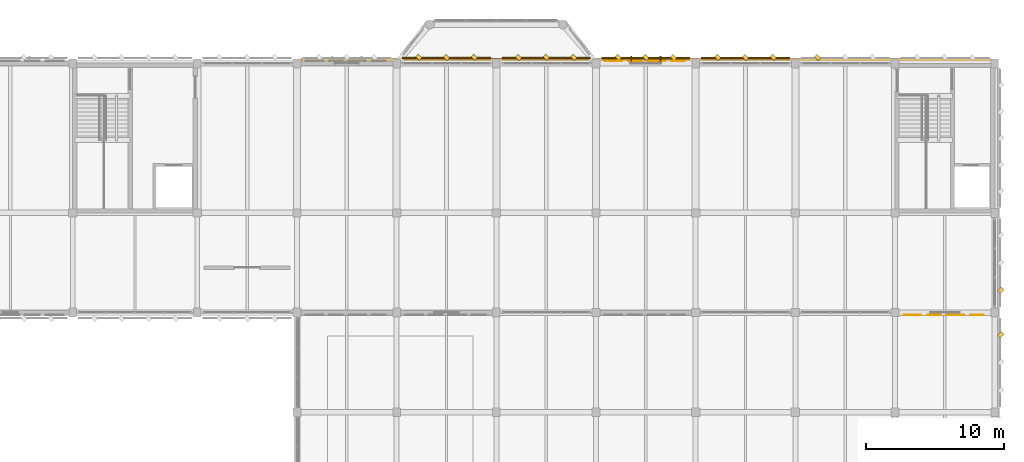
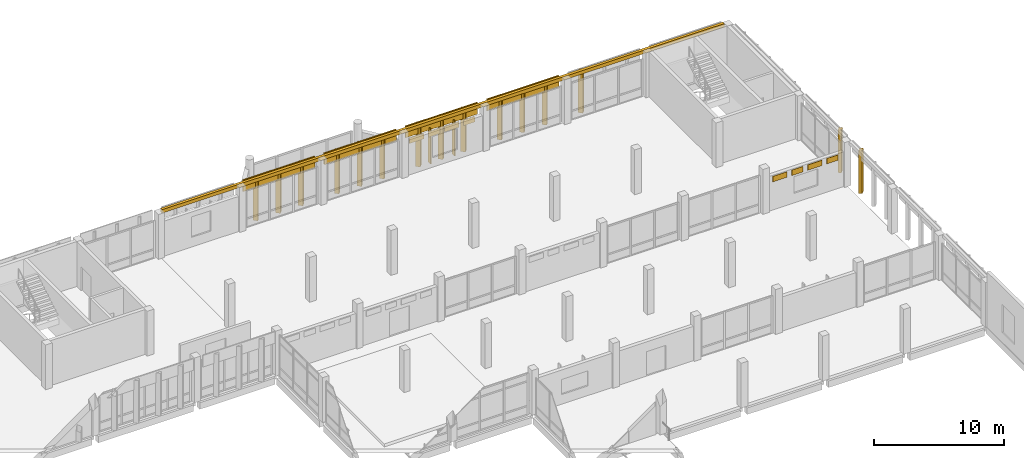
# One storey, part 156 of 158: 30 coverings.
"""IFC4 building model written with IfcOpenShell, lengths in metres."""

from ifc_helpers import new_model, si_unit, direction, frame, origin, origin_2d, place, context, subcontext, project, spatial, rectangle, extrude, material, layer, layer_set, type_object, element, save


model = new_model("IFC4")

# Units and contexts
model_context = context("Model", 3, precision=1e-05, world=origin(), true_north=direction((0.0, 1.0)))
body_context = subcontext(model_context, "Body", "Model", "MODEL_VIEW")
ifc_project = project(units=[si_unit("LENGTHUNIT", "METRE"), si_unit("AREAUNIT", "SQUARE_METRE"), si_unit("VOLUMEUNIT", "CUBIC_METRE"), si_unit("PLANEANGLEUNIT", "RADIAN"), si_unit("MASSUNIT", "GRAM", prefix="KILO")], contexts=[model_context])

# Site, building, storey
site_placement = place(None, origin())
site = spatial("IfcSite", under=ifc_project, at=site_placement, CompositionType="ELEMENT")
building_placement = place(site_placement, origin())
building = spatial("IfcBuilding", under=site, at=building_placement, Name="Lusvemor Sports Hall", CompositionType="ELEMENT")
storey_placement = place(building_placement, frame((0.0, 0.0, 10.800048828125)))
storey = spatial("IfcBuildingStorey", under=building, at=storey_placement, Name="L02", CompositionType="ELEMENT", Elevation=10.800048828125)

# Coverings
ifc_material_1 = material(Name="Precast granite-faced Concrete C40/50 architectural cladding", Category="masonry")
ifc_layer_1 = layer(ifc_material_1, 0.055908203125)
ifc_layer_set_1 = layer_set([ifc_layer_1], Name="Precast granite-faced Concrete C40/50 architectural cladding")
covering_type_1 = type_object("IfcCoveringType", Name="CLAD_RELIEF_FRIEZE", PredefinedType="CLADDING", material=ifc_layer_set_1)
covering_placement = place(storey_placement, frame((144.0, 115.419921875, 3.8798828125), z_axis=(0.0, 0.0, 1.0), x_axis=(1.0, 0.0, 0.0)))
element("IfcCovering", 1, at=covering_placement, inside=storey, type_object=covering_type_1, Name="Art Nouveau Sculpted Roofline Cornice 894", PredefinedType="CLADDING", context=body_context, shape_type="SweptSolid", body=[
    extrude(rectangle(XDim=49.800048828125, YDim=0.239990234375, at=origin_2d()), origin(), (0.0, 0.0, 1.0), 0.320068359375),
])
ifc_material_2 = material(Name="Emerald polychrome glazed ceramic cladding on Concrete C40/50 backing", Category="concrete")
ifc_layer_2 = layer(ifc_material_2, 0.0458984375)
ifc_layer_set_2 = layer_set([ifc_layer_2], Name="Emerald polychrome glazed ceramic cladding on Concrete C40/50 backing")
covering_type_2 = type_object("IfcCoveringType", Name="CLAD_WAVE_EMERALD", PredefinedType="CLADDING", material=ifc_layer_set_2)
for number, where, z_axis, x_axis, name in (
    (2, (141.675048828125, 115.365478515625, 2.68994140625), (0.0, 0.0, 1.0), (1.0, 0.0, 0.0), "Art Nouveau Patterned Cladding PS-EW-L02-N-1-15-1"),
    (3, (144.77490234375, 115.365478515625, 2.68994140625), (0.0, 0.0, 1.0), (1.0, 0.0, 0.0), "Art Nouveau Patterned Cladding PS-EW-L02-N-1-15-3"),
    (4, (163.27490234375, 97.034423828125, 2.64990234375), (0.0, 0.0, 1.0), (1.0, 0.0, 0.0), "Art Nouveau Patterned Cladding PS-EW-L02-S-3-16-1"),
    (5, (166.375, 97.034423828125, 2.64990234375), (0.0, 0.0, 1.0), (1.0, 0.0, 0.0), "Art Nouveau Patterned Cladding PS-EW-L02-S-3-16-3"),
):
    element("IfcCovering", number, at=place(storey_placement, frame(where, z_axis=z_axis, x_axis=x_axis)), inside=storey, type_object=covering_type_2, Name=name, PredefinedType="CLADDING", context=body_context, shape_type="SweptSolid", body=[
        extrude(rectangle(XDim=1.27099609375, YDim=0.0458984375, at=origin_2d()), origin(), (0.0, 0.0, 1.0), 0.510009765625),
    ])
for number, where, z_axis, x_axis, name in (
    (6, (129.60009765625, 115.639892578125, 0.099853515625), (0.0, 0.0, 1.0), (0.707106781187, 0.707106781187, 0.0), "Patterned Diamond Cladding Rib 832"),
    (7, (136.800048828125, 115.639892578125, 0.099853515625), (0.0, 0.0, 1.0), (0.707106781187, 0.707106781187, 0.0), "Patterned Diamond Cladding Rib 844"),
    (8, (144.0, 115.639892578125, 0.099853515625), (0.0, 0.0, 1.0), (0.707106781187, 0.707106781187, 0.0), "Patterned Diamond Cladding Rib 856"),
    (9, (151.199951171875, 115.639892578125, 0.099853515625), (0.0, 0.0, 1.0), (0.707106781187, 0.707106781187, 0.0), "Patterned Diamond Cladding Rib 868"),
):
    element("IfcCovering", number, at=place(storey_placement, frame(where, z_axis=z_axis, x_axis=x_axis)), inside=storey, type_object=covering_type_2, Name=name, PredefinedType="CLADDING", context=body_context, shape_type="SweptSolid", body=[
        extrude(rectangle(XDim=0.280029296875, YDim=0.3798828125, at=origin_2d()), origin(), (0.0, 0.0, 1.0), 4.0),
    ])
ifc_material_3 = material(Name="Warm terracotta Art Nouveau ceramic cladding on Concrete C40/50 backing", Category="masonry")
ifc_layer_3 = layer(ifc_material_3, 0.0380859375)
ifc_layer_set_3 = layer_set([ifc_layer_3], Name="Warm terracotta Art Nouveau ceramic cladding on Concrete C40/50 backing")
covering_type_3 = type_object("IfcCoveringType", Name="CLAD_WAVE_OCHRE", PredefinedType="CLADDING", material=ifc_layer_set_3)
for number, where, z_axis, x_axis, name in (
    (10, (143.22509765625, 115.361572265625, 2.68994140625), (0.0, 0.0, 1.0), (1.0, 0.0, 0.0), "Art Nouveau Patterned Cladding PS-EW-L02-N-1-15-2"),
    (11, (146.324951171875, 115.361572265625, 2.68994140625), (0.0, 0.0, 1.0), (1.0, 0.0, 0.0), "Art Nouveau Patterned Cladding PS-EW-L02-N-1-15-4"),
    (12, (164.824951171875, 97.03857421875, 2.64990234375), (0.0, 0.0, 1.0), (1.0, 0.0, 0.0), "Art Nouveau Patterned Cladding PS-EW-L02-S-3-16-2"),
    (13, (167.925048828125, 97.03857421875, 2.64990234375), (0.0, 0.0, 1.0), (1.0, 0.0, 0.0), "Art Nouveau Patterned Cladding PS-EW-L02-S-3-16-4"),
):
    element("IfcCovering", number, at=place(storey_placement, frame(where, z_axis=z_axis, x_axis=x_axis)), inside=storey, type_object=covering_type_3, Name=name, PredefinedType="CLADDING", context=body_context, shape_type="SweptSolid", body=[
        extrude(rectangle(XDim=0.991943359375, YDim=0.0380859375, at=origin_2d()), origin(), (0.0, 0.0, 1.0), 0.510009765625),
    ])
for number, where, z_axis, x_axis, name in (
    (14, (129.60009765625, 115.590087890625, 3.179931640625), (0.0, 0.0, 1.0), (1.0, 0.0, 0.0), "Art Nouveau Spandrel Cornice 830"),
    (15, (136.800048828125, 115.590087890625, 3.179931640625), (0.0, 0.0, 1.0), (1.0, 0.0, 0.0), "Art Nouveau Spandrel Cornice 842"),
    (16, (144.0, 115.590087890625, 3.179931640625), (0.0, 0.0, 1.0), (1.0, 0.0, 0.0), "Art Nouveau Spandrel Cornice 854"),
    (17, (151.199951171875, 115.590087890625, 3.179931640625), (0.0, 0.0, 1.0), (1.0, 0.0, 0.0), "Art Nouveau Spandrel Cornice 866"),
):
    element("IfcCovering", number, at=place(storey_placement, frame(where, z_axis=z_axis, x_axis=x_axis)), inside=storey, type_object=covering_type_3, Name=name, PredefinedType="CLADDING", context=body_context, shape_type="SweptSolid", body=[
        extrude(rectangle(XDim=6.3798828125, YDim=0.090087890625, at=origin_2d()), origin(), (0.0, 0.0, 1.0), 1.080078125),
    ])
ifc_material_4 = material(Name="Emerald polychrome glazed ceramic cladding on Concrete C40/50 backing", Category="concrete")
ifc_layer_4 = layer(ifc_material_4, 0.35009765625)
ifc_layer_set_4 = layer_set([ifc_layer_4], Name="Emerald polychrome glazed ceramic cladding on Concrete C40/50 backing")
covering_type_4 = type_object("IfcCoveringType", Name="FIN_BRISE_CER_350", PredefinedType="MOLDING", material=ifc_layer_set_4)
for number, where, z_axis, x_axis, name in (
    (18, (142.93994140625, 115.527587890625, 0.10009765625), (0.0, 0.0, 1.0), (1.0, 0.0, 0.0), "Wing Brise-Soleil Fin L02-N-1-15-1"),
    (19, (145.06005859375, 115.527587890625, 0.10009765625), (0.0, 0.0, 1.0), (1.0, 0.0, 0.0), "Wing Brise-Soleil Fin L02-N-1-15-2"),
):
    element("IfcCovering", number, at=place(storey_placement, frame(where, z_axis=z_axis, x_axis=x_axis)), inside=storey, type_object=covering_type_4, Name=name, PredefinedType="MOLDING", context=body_context, shape_type="SweptSolid", body=[
        extrude(rectangle(XDim=0.080078125, YDim=0.35009765625, at=origin_2d()), origin(), (0.0, 0.0, 1.0), 3.320068359375),
    ])
ifc_material_5 = material(Name="Warm terracotta Art Nouveau ceramic cladding on Concrete C40/50 backing", Category="masonry")
ifc_layer_5 = layer(ifc_material_5, 0.449951171875)
ifc_layer_set_5 = layer_set([ifc_layer_5], Name="Warm terracotta Art Nouveau ceramic cladding on Concrete C40/50 backing")
covering_type_5 = type_object("IfcCoveringType", Name="FIN_BRISE_CER_450", PredefinedType="MOLDING", material=ifc_layer_set_5)
for number, where, z_axis, x_axis, name in (
    (20, (169.639892578125, 95.60009765625, 0.099853515625), (0.0, 0.0, 1.0), (0.707106781187, 0.707106781187, 0.0), "Patterned Diamond Cladding Rib 457"),
    (21, (169.639892578125, 98.800048828125, 0.099853515625), (0.0, 0.0, 1.0), (0.707106781187, 0.707106781187, 0.0), "Patterned Diamond Cladding Rib 467"),
):
    element("IfcCovering", number, at=place(storey_placement, frame(where, z_axis=z_axis, x_axis=x_axis)), inside=storey, type_object=covering_type_5, Name=name, PredefinedType="MOLDING", context=body_context, shape_type="SweptSolid", body=[
        extrude(rectangle(XDim=0.3798828125, YDim=0.280029296875, at=origin_2d()), origin(), (0.0, 0.0, 1.0), 4.0),
    ])
for number, where, z_axis, x_axis, name in (
    (22, (127.60009765625, 115.639892578125, 0.099853515625), (0.0, 0.0, 1.0), (0.707106781187, 0.707106781187, 0.0), "Patterned Diamond Cladding Rib 831"),
    (23, (131.60009765625, 115.639892578125, 0.099853515625), (0.0, 0.0, 1.0), (0.707106781187, 0.707106781187, 0.0), "Patterned Diamond Cladding Rib 833"),
    (24, (134.800048828125, 115.639892578125, 0.099853515625), (0.0, 0.0, 1.0), (0.707106781187, 0.707106781187, 0.0), "Patterned Diamond Cladding Rib 843"),
    (25, (138.800048828125, 115.639892578125, 0.099853515625), (0.0, 0.0, 1.0), (0.707106781187, 0.707106781187, 0.0), "Patterned Diamond Cladding Rib 845"),
    (26, (142.0, 115.639892578125, 0.099853515625), (0.0, 0.0, 1.0), (0.707106781187, 0.707106781187, 0.0), "Patterned Diamond Cladding Rib 855"),
    (27, (146.0, 115.639892578125, 0.099853515625), (0.0, 0.0, 1.0), (0.707106781187, 0.707106781187, 0.0), "Patterned Diamond Cladding Rib 857"),
    (28, (149.199951171875, 115.639892578125, 0.099853515625), (0.0, 0.0, 1.0), (0.707106781187, 0.707106781187, 0.0), "Patterned Diamond Cladding Rib 867"),
    (29, (153.199951171875, 115.639892578125, 0.099853515625), (0.0, 0.0, 1.0), (0.707106781187, 0.707106781187, 0.0), "Patterned Diamond Cladding Rib 869"),
    (30, (156.39990234375, 115.639892578125, 0.099853515625), (0.0, 0.0, 1.0), (0.707106781187, 0.707106781187, 0.0), "Patterned Diamond Cladding Rib 879"),
):
    element("IfcCovering", number, at=place(storey_placement, frame(where, z_axis=z_axis, x_axis=x_axis)), inside=storey, type_object=covering_type_5, Name=name, PredefinedType="MOLDING", context=body_context, shape_type="SweptSolid", body=[
        extrude(rectangle(XDim=0.280029296875, YDim=0.3798828125, at=origin_2d()), origin(), (0.0, 0.0, 1.0), 4.0),
    ])

save(model, "model.ifc")
